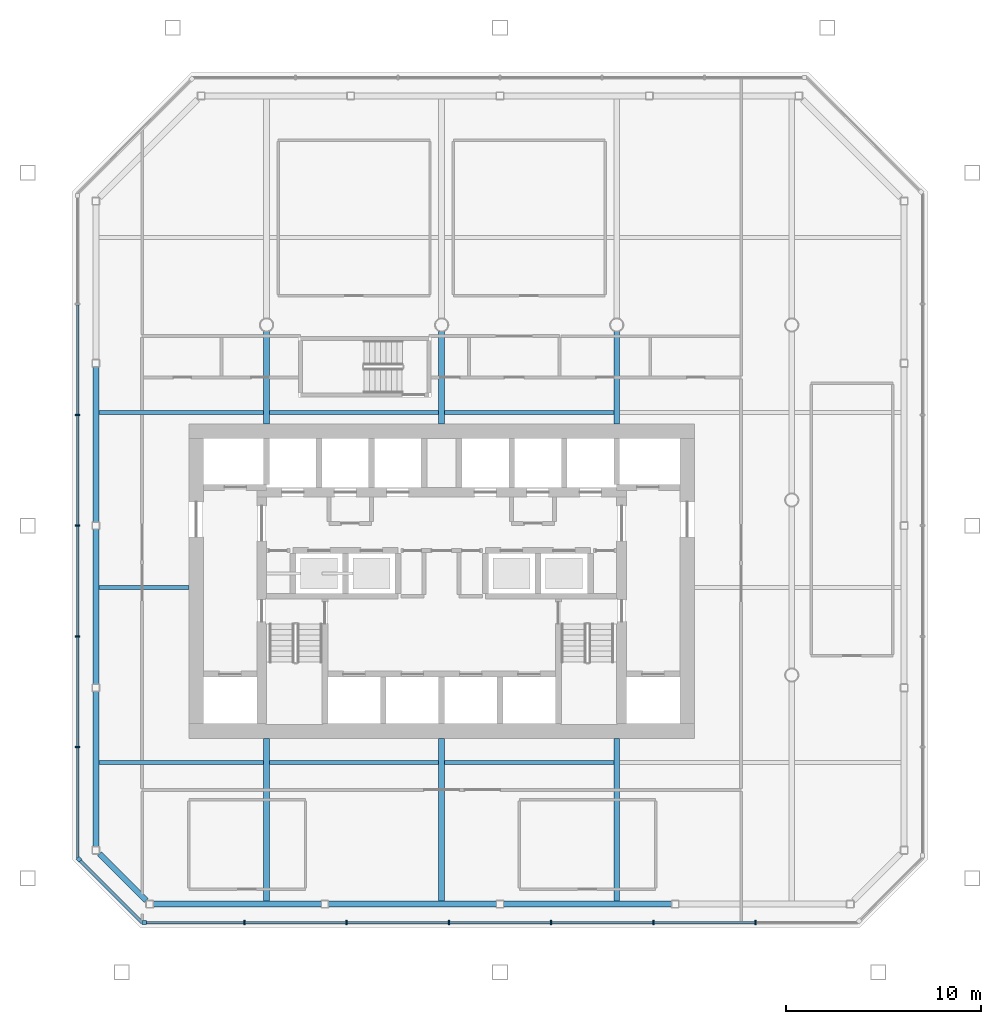
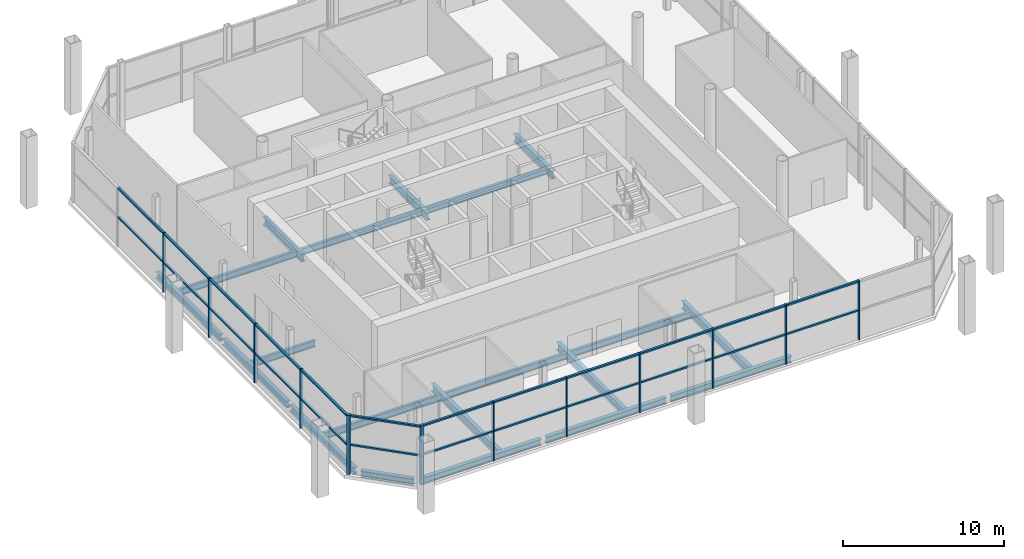
# One storey, part 3 of 12: 36 members, 20 beams, 3 elements without a shape of their own.
"""IFC4 building model written with IfcOpenShell, lengths in metres."""

from ifc_helpers import new_model, si_unit, direction, frame, origin, origin_2d, place, context, subcontext, project, spatial, rectangle, i_section, extrude, material, material_profile, profile_set, type_object, element, aggregate, save


model = new_model("IFC4")

# Units and contexts
model_context = context("Model", 3, precision=1e-05, world=origin(), true_north=direction((0.0, 1.0)))
body_context = subcontext(model_context, "Body", "Model", "MODEL_VIEW")
ifc_project = project(units=[si_unit("LENGTHUNIT", "METRE"), si_unit("AREAUNIT", "SQUARE_METRE"), si_unit("VOLUMEUNIT", "CUBIC_METRE"), si_unit("PLANEANGLEUNIT", "RADIAN"), si_unit("MASSUNIT", "GRAM", prefix="KILO")], contexts=[model_context])

# Site, building, storey
site_placement = place(None, origin())
site = spatial("IfcSite", under=ifc_project, at=site_placement, CompositionType="ELEMENT")
building_placement = place(site_placement, origin())
building = spatial("IfcBuilding", under=site, at=building_placement, Name="Tskaro Facet Tower", CompositionType="ELEMENT")
storey_placement = place(building_placement, frame((0.0, 0.0, 162.300048828125)))
storey = spatial("IfcBuildingStorey", under=building, at=storey_placement, Name="L40", CompositionType="ELEMENT", Elevation=162.300048828125)

# Curtain wall, member
ifc_material_1 = material(Name="Bronze anodised aluminium 6063-T6", Category="aluminium")
curtain_wall_type = type_object("IfcCurtainWallType", Name="Bronze sky lobby curtain wall (FW4)", PredefinedType="NOTDEFINED", material=ifc_material_1)
curtain_wall_1_placement = place(storey_placement, origin())
curtain_wall_1 = element("IfcCurtainWall", 1, at=curtain_wall_1_placement, inside=storey, type_object=curtain_wall_type, Name="FW4 south facet L40", PredefinedType="NOTDEFINED")
ifc_material_profile_1 = material_profile(ifc_material_1, rectangle(XDim=0.219970703125, YDim=0.219970703125, at=origin_2d()), Name="Corner post 220x220")
ifc_profile_set_1 = profile_set([ifc_material_profile_1], Name="Bronze anodised aluminium 6063-T6")
member_type_1 = type_object("IfcMemberType", Name="FW4 bronze corner post 220x220", PredefinedType="MULLION", material=ifc_profile_set_1)
member_1_placement = place(storey_placement, frame((-15.281982421875, -21.72412109375, 0.0), z_axis=(0.0, 0.0, 1.0), x_axis=(1.0, 0.0, 0.0)))
member_1 = element("IfcMember", 2, at=member_1_placement, type_object=member_type_1, Name="FW4 south corner post", PredefinedType="MULLION", context=body_context, shape_type="SweptSolid", body=[
    extrude(rectangle(XDim=0.219970703125, YDim=0.219970703125, at=origin_2d()), origin(), (0.0, 0.0, 1.0), 4.489990234375),
])

curtain_wall_2_placement = place(storey_placement, origin())
curtain_wall_2 = element("IfcCurtainWall", 3, at=curtain_wall_2_placement, inside=storey, type_object=curtain_wall_type, Name="FW4 south-west facet L40", PredefinedType="NOTDEFINED")
member_2_placement = place(storey_placement, frame((-18.646240234375, -18.4697265625, 0.0), z_axis=(0.0, 0.0, 1.0), x_axis=(0.707106781187, -0.707106781187, 0.0)))
member_2 = element("IfcMember", 4, at=member_2_placement, type_object=member_type_1, Name="FW4 south-west corner post", PredefinedType="MULLION", context=body_context, shape_type="SweptSolid", body=[
    extrude(rectangle(XDim=0.219970703125, YDim=0.219970703125, at=origin_2d()), origin(), (0.0, 0.0, 1.0), 4.489990234375),
])

# Member
ifc_material_profile_2 = material_profile(ifc_material_1, rectangle(XDim=0.080078125, YDim=0.219970703125, at=origin_2d()), Name="Mullion 80x220")
ifc_profile_set_2 = profile_set([ifc_material_profile_2], Name="Bronze anodised aluminium 6063-T6")
member_type_2 = type_object("IfcMemberType", Name="FW4 bronze mullion 80x220", PredefinedType="MULLION", material=ifc_profile_set_2)
member_3_placement = place(storey_placement, frame((-10.13720703125, -21.72412109375, 0.0), z_axis=(0.0, 0.0, 1.0), x_axis=(1.0, 0.0, 0.0)))
member_3 = element("IfcMember", 5, at=member_3_placement, type_object=member_type_2, Name="FW4 south mullion 1", PredefinedType="MULLION", context=body_context, shape_type="SweptSolid", body=[
    extrude(rectangle(XDim=0.080078125, YDim=0.219970703125, at=origin_2d()), origin(), (0.0, 0.0, 1.0), 4.489990234375),
])

member_4_placement = place(storey_placement, frame((-4.88232421875, -21.72412109375, 0.0), z_axis=(0.0, 0.0, 1.0), x_axis=(1.0, 0.0, 0.0)))
member_4 = element("IfcMember", 6, at=member_4_placement, type_object=member_type_2, Name="FW4 south mullion 2", PredefinedType="MULLION", context=body_context, shape_type="SweptSolid", body=[
    extrude(rectangle(XDim=0.080078125, YDim=0.219970703125, at=origin_2d()), origin(), (0.0, 0.0, 1.0), 4.489990234375),
])

member_5_placement = place(storey_placement, frame((0.37255859375, -21.72412109375, 0.0), z_axis=(0.0, 0.0, 1.0), x_axis=(1.0, 0.0, 0.0)))
member_5 = element("IfcMember", 7, at=member_5_placement, type_object=member_type_2, Name="FW4 south mullion 3", PredefinedType="MULLION", context=body_context, shape_type="SweptSolid", body=[
    extrude(rectangle(XDim=0.080078125, YDim=0.219970703125, at=origin_2d()), origin(), (0.0, 0.0, 1.0), 4.489990234375),
])

member_6_placement = place(storey_placement, frame((5.62744140625, -21.72412109375, 0.0), z_axis=(0.0, 0.0, 1.0), x_axis=(1.0, 0.0, 0.0)))
member_6 = element("IfcMember", 8, at=member_6_placement, type_object=member_type_2, Name="FW4 south mullion 4", PredefinedType="MULLION", context=body_context, shape_type="SweptSolid", body=[
    extrude(rectangle(XDim=0.080078125, YDim=0.219970703125, at=origin_2d()), origin(), (0.0, 0.0, 1.0), 4.489990234375),
])

member_7_placement = place(storey_placement, frame((10.88232421875, -21.72412109375, 0.0), z_axis=(0.0, 0.0, 1.0), x_axis=(1.0, 0.0, 0.0)))
member_7 = element("IfcMember", 9, at=member_7_placement, type_object=member_type_2, Name="FW4 south mullion 5", PredefinedType="MULLION", context=body_context, shape_type="SweptSolid", body=[
    extrude(rectangle(XDim=0.080078125, YDim=0.219970703125, at=origin_2d()), origin(), (0.0, 0.0, 1.0), 4.489990234375),
])

member_8_placement = place(storey_placement, frame((16.13720703125, -21.72412109375, 0.0), z_axis=(0.0, 0.0, 1.0), x_axis=(1.0, 0.0, 0.0)))
member_8 = element("IfcMember", 10, at=member_8_placement, type_object=member_type_2, Name="FW4 south mullion 6", PredefinedType="MULLION", context=body_context, shape_type="SweptSolid", body=[
    extrude(rectangle(XDim=0.080078125, YDim=0.219970703125, at=origin_2d()), origin(), (0.0, 0.0, 1.0), 4.489990234375),
])

# Curtain wall, members
curtain_wall_3_placement = place(storey_placement, origin())
curtain_wall_3 = element("IfcCurtainWall", 11, at=curtain_wall_3_placement, inside=storey, type_object=curtain_wall_type, Name="FW4 west facet L40", PredefinedType="NOTDEFINED")
member_9_placement = place(storey_placement, frame((-18.72412109375, 4.376708984375, 0.0), z_axis=(0.0, 0.0, 1.0), x_axis=(0.0, -1.0, 0.0)))
member_9 = element("IfcMember", 12, at=member_9_placement, type_object=member_type_2, Name="FW4 west mullion 2", PredefinedType="MULLION", context=body_context, shape_type="SweptSolid", body=[
    extrude(rectangle(XDim=0.080078125, YDim=0.219970703125, at=origin_2d()), origin(), (0.0, 0.0, 1.0), 4.489990234375),
])
member_10_placement = place(storey_placement, frame((-18.72412109375, -1.3154296875, 0.0), z_axis=(0.0, 0.0, 1.0), x_axis=(0.0, -1.0, 0.0)))
member_10 = element("IfcMember", 13, at=member_10_placement, type_object=member_type_2, Name="FW4 west mullion 3", PredefinedType="MULLION", context=body_context, shape_type="SweptSolid", body=[
    extrude(rectangle(XDim=0.080078125, YDim=0.219970703125, at=origin_2d()), origin(), (0.0, 0.0, 1.0), 4.489990234375),
])
member_11_placement = place(storey_placement, frame((-18.72412109375, -7.007568359375, 0.0), z_axis=(0.0, 0.0, 1.0), x_axis=(0.0, -1.0, 0.0)))
member_11 = element("IfcMember", 14, at=member_11_placement, type_object=member_type_2, Name="FW4 west mullion 4", PredefinedType="MULLION", context=body_context, shape_type="SweptSolid", body=[
    extrude(rectangle(XDim=0.080078125, YDim=0.219970703125, at=origin_2d()), origin(), (0.0, 0.0, 1.0), 4.489990234375),
])
member_12_placement = place(storey_placement, frame((-18.72412109375, -12.699951171875, 0.0), z_axis=(0.0, 0.0, 1.0), x_axis=(0.0, -1.0, 0.0)))
member_12 = element("IfcMember", 15, at=member_12_placement, type_object=member_type_2, Name="FW4 west mullion 5", PredefinedType="MULLION", context=body_context, shape_type="SweptSolid", body=[
    extrude(rectangle(XDim=0.080078125, YDim=0.219970703125, at=origin_2d()), origin(), (0.0, 0.0, 1.0), 4.489990234375),
])

# Member
ifc_material_profile_3 = material_profile(ifc_material_1, rectangle(XDim=0.159912109375, YDim=0.1201171875, at=origin_2d()), Name="Transom 160x120")
ifc_profile_set_3 = profile_set([ifc_material_profile_3], Name="Bronze anodised aluminium 6063-T6")
member_type_3 = type_object("IfcMemberType", Name="FW4 bronze transom 160x120", PredefinedType="USERDEFINED", material=ifc_profile_set_3)
member_13_placement = place(storey_placement, frame((-15.172119140625, -21.72412109375, 2.244873046875), z_axis=(1.0, 0.0, 0.0), x_axis=(0.0, 1.0, 0.0)))
member_13 = element("IfcMember", 16, at=member_13_placement, type_object=member_type_3, Name="FW4 south transom 1.1", ObjectType="TRANSOM", PredefinedType="USERDEFINED", context=body_context, shape_type="SweptSolid", body=[
    extrude(rectangle(XDim=0.159912109375, YDim=0.1201171875, at=origin_2d()), origin(), (0.0, 0.0, 1.0), 4.994873046875),
])

member_14_placement = place(storey_placement, frame((-15.172119140625, -21.72412109375, 4.429931640625), z_axis=(1.0, 0.0, 0.0), x_axis=(0.0, 1.0, 0.0)))
member_14 = element("IfcMember", 17, at=member_14_placement, type_object=member_type_3, Name="FW4 south transom 1.2", ObjectType="TRANSOM", PredefinedType="USERDEFINED", context=body_context, shape_type="SweptSolid", body=[
    extrude(rectangle(XDim=0.159912109375, YDim=0.1201171875, at=origin_2d()), origin(), (0.0, 0.0, 1.0), 4.994873046875),
])

member_15_placement = place(storey_placement, frame((-10.09716796875, -21.72412109375, 2.244873046875), z_axis=(1.0, 0.0, 0.0), x_axis=(0.0, 1.0, 0.0)))
member_15 = element("IfcMember", 18, at=member_15_placement, type_object=member_type_3, Name="FW4 south transom 2.1", ObjectType="TRANSOM", PredefinedType="USERDEFINED", context=body_context, shape_type="SweptSolid", body=[
    extrude(rectangle(XDim=0.159912109375, YDim=0.1201171875, at=origin_2d()), origin(), (0.0, 0.0, 1.0), 5.1748046875),
])

member_16_placement = place(storey_placement, frame((-10.09716796875, -21.72412109375, 4.429931640625), z_axis=(1.0, 0.0, 0.0), x_axis=(0.0, 1.0, 0.0)))
member_16 = element("IfcMember", 19, at=member_16_placement, type_object=member_type_3, Name="FW4 south transom 2.2", ObjectType="TRANSOM", PredefinedType="USERDEFINED", context=body_context, shape_type="SweptSolid", body=[
    extrude(rectangle(XDim=0.159912109375, YDim=0.1201171875, at=origin_2d()), origin(), (0.0, 0.0, 1.0), 5.1748046875),
])

member_17_placement = place(storey_placement, frame((-4.84228515625, -21.72412109375, 2.244873046875), z_axis=(1.0, 0.0, 0.0), x_axis=(0.0, 1.0, 0.0)))
member_17 = element("IfcMember", 20, at=member_17_placement, type_object=member_type_3, Name="FW4 south transom 3.1", ObjectType="TRANSOM", PredefinedType="USERDEFINED", context=body_context, shape_type="SweptSolid", body=[
    extrude(rectangle(XDim=0.159912109375, YDim=0.1201171875, at=origin_2d()), origin(), (0.0, 0.0, 1.0), 5.1748046875),
])

member_18_placement = place(storey_placement, frame((-4.84228515625, -21.72412109375, 4.429931640625), z_axis=(1.0, 0.0, 0.0), x_axis=(0.0, 1.0, 0.0)))
member_18 = element("IfcMember", 21, at=member_18_placement, type_object=member_type_3, Name="FW4 south transom 3.2", ObjectType="TRANSOM", PredefinedType="USERDEFINED", context=body_context, shape_type="SweptSolid", body=[
    extrude(rectangle(XDim=0.159912109375, YDim=0.1201171875, at=origin_2d()), origin(), (0.0, 0.0, 1.0), 5.1748046875),
])

member_19_placement = place(storey_placement, frame((0.41259765625, -21.72412109375, 2.244873046875), z_axis=(1.0, 0.0, 0.0), x_axis=(0.0, 1.0, 0.0)))
member_19 = element("IfcMember", 22, at=member_19_placement, type_object=member_type_3, Name="FW4 south transom 4.1", ObjectType="TRANSOM", PredefinedType="USERDEFINED", context=body_context, shape_type="SweptSolid", body=[
    extrude(rectangle(XDim=0.159912109375, YDim=0.1201171875, at=origin_2d()), origin(), (0.0, 0.0, 1.0), 5.1748046875),
])

member_20_placement = place(storey_placement, frame((0.41259765625, -21.72412109375, 4.429931640625), z_axis=(1.0, 0.0, 0.0), x_axis=(0.0, 1.0, 0.0)))
member_20 = element("IfcMember", 23, at=member_20_placement, type_object=member_type_3, Name="FW4 south transom 4.2", ObjectType="TRANSOM", PredefinedType="USERDEFINED", context=body_context, shape_type="SweptSolid", body=[
    extrude(rectangle(XDim=0.159912109375, YDim=0.1201171875, at=origin_2d()), origin(), (0.0, 0.0, 1.0), 5.1748046875),
])

member_21_placement = place(storey_placement, frame((5.66748046875, -21.72412109375, 2.244873046875), z_axis=(1.0, 0.0, 0.0), x_axis=(0.0, 1.0, 0.0)))
member_21 = element("IfcMember", 24, at=member_21_placement, type_object=member_type_3, Name="FW4 south transom 5.1", ObjectType="TRANSOM", PredefinedType="USERDEFINED", context=body_context, shape_type="SweptSolid", body=[
    extrude(rectangle(XDim=0.159912109375, YDim=0.1201171875, at=origin_2d()), origin(), (0.0, 0.0, 1.0), 5.1748046875),
])

member_22_placement = place(storey_placement, frame((5.66748046875, -21.72412109375, 4.429931640625), z_axis=(1.0, 0.0, 0.0), x_axis=(0.0, 1.0, 0.0)))
member_22 = element("IfcMember", 25, at=member_22_placement, type_object=member_type_3, Name="FW4 south transom 5.2", ObjectType="TRANSOM", PredefinedType="USERDEFINED", context=body_context, shape_type="SweptSolid", body=[
    extrude(rectangle(XDim=0.159912109375, YDim=0.1201171875, at=origin_2d()), origin(), (0.0, 0.0, 1.0), 5.1748046875),
])

member_23_placement = place(storey_placement, frame((10.92236328125, -21.72412109375, 2.244873046875), z_axis=(1.0, 0.0, 0.0), x_axis=(0.0, 1.0, 0.0)))
member_23 = element("IfcMember", 26, at=member_23_placement, type_object=member_type_3, Name="FW4 south transom 6.1", ObjectType="TRANSOM", PredefinedType="USERDEFINED", context=body_context, shape_type="SweptSolid", body=[
    extrude(rectangle(XDim=0.159912109375, YDim=0.1201171875, at=origin_2d()), origin(), (0.0, 0.0, 1.0), 5.1748046875),
])

member_24_placement = place(storey_placement, frame((10.92236328125, -21.72412109375, 4.429931640625), z_axis=(1.0, 0.0, 0.0), x_axis=(0.0, 1.0, 0.0)))
member_24 = element("IfcMember", 27, at=member_24_placement, type_object=member_type_3, Name="FW4 south transom 6.2", ObjectType="TRANSOM", PredefinedType="USERDEFINED", context=body_context, shape_type="SweptSolid", body=[
    extrude(rectangle(XDim=0.159912109375, YDim=0.1201171875, at=origin_2d()), origin(), (0.0, 0.0, 1.0), 5.1748046875),
])

aggregate(curtain_wall_1, [member_1, member_3, member_4, member_5, member_6, member_7, member_8, member_13, member_14, member_15, member_16, member_17, member_18, member_19, member_20, member_21, member_22, member_23, member_24])

member_25_placement = place(storey_placement, frame((-18.72412109375, 10.02880859375, 2.244873046875), z_axis=(0.0, -1.0, 0.0), x_axis=(1.0, 0.0, 0.0)))
member_25 = element("IfcMember", 28, at=member_25_placement, type_object=member_type_3, Name="FW4 west transom 2.1", ObjectType="TRANSOM", PredefinedType="USERDEFINED", context=body_context, shape_type="SweptSolid", body=[
    extrude(rectangle(XDim=0.159912109375, YDim=0.1201171875, at=origin_2d()), origin(), (0.0, 0.0, 1.0), 5.612060546875),
])

member_26_placement = place(storey_placement, frame((-18.72412109375, 10.02880859375, 4.429931640625), z_axis=(0.0, -1.0, 0.0), x_axis=(1.0, 0.0, 0.0)))
member_26 = element("IfcMember", 29, at=member_26_placement, type_object=member_type_3, Name="FW4 west transom 2.2", ObjectType="TRANSOM", PredefinedType="USERDEFINED", context=body_context, shape_type="SweptSolid", body=[
    extrude(rectangle(XDim=0.159912109375, YDim=0.1201171875, at=origin_2d()), origin(), (0.0, 0.0, 1.0), 5.612060546875),
])

member_27_placement = place(storey_placement, frame((-18.72412109375, 4.336669921875, 2.244873046875), z_axis=(0.0, -1.0, 0.0), x_axis=(1.0, 0.0, 0.0)))
member_27 = element("IfcMember", 30, at=member_27_placement, type_object=member_type_3, Name="FW4 west transom 3.1", ObjectType="TRANSOM", PredefinedType="USERDEFINED", context=body_context, shape_type="SweptSolid", body=[
    extrude(rectangle(XDim=0.159912109375, YDim=0.1201171875, at=origin_2d()), origin(), (0.0, 0.0, 1.0), 5.612060546875),
])

member_28_placement = place(storey_placement, frame((-18.72412109375, 4.336669921875, 4.429931640625), z_axis=(0.0, -1.0, 0.0), x_axis=(1.0, 0.0, 0.0)))
member_28 = element("IfcMember", 31, at=member_28_placement, type_object=member_type_3, Name="FW4 west transom 3.2", ObjectType="TRANSOM", PredefinedType="USERDEFINED", context=body_context, shape_type="SweptSolid", body=[
    extrude(rectangle(XDim=0.159912109375, YDim=0.1201171875, at=origin_2d()), origin(), (0.0, 0.0, 1.0), 5.612060546875),
])

member_29_placement = place(storey_placement, frame((-18.72412109375, -1.35546875, 2.244873046875), z_axis=(0.0, -1.0, 0.0), x_axis=(1.0, 0.0, 0.0)))
member_29 = element("IfcMember", 32, at=member_29_placement, type_object=member_type_3, Name="FW4 west transom 4.1", ObjectType="TRANSOM", PredefinedType="USERDEFINED", context=body_context, shape_type="SweptSolid", body=[
    extrude(rectangle(XDim=0.159912109375, YDim=0.1201171875, at=origin_2d()), origin(), (0.0, 0.0, 1.0), 5.6123046875),
])

member_30_placement = place(storey_placement, frame((-18.72412109375, -1.35546875, 4.429931640625), z_axis=(0.0, -1.0, 0.0), x_axis=(1.0, 0.0, 0.0)))
member_30 = element("IfcMember", 33, at=member_30_placement, type_object=member_type_3, Name="FW4 west transom 4.2", ObjectType="TRANSOM", PredefinedType="USERDEFINED", context=body_context, shape_type="SweptSolid", body=[
    extrude(rectangle(XDim=0.159912109375, YDim=0.1201171875, at=origin_2d()), origin(), (0.0, 0.0, 1.0), 5.6123046875),
])

member_31_placement = place(storey_placement, frame((-18.72412109375, -7.047607421875, 2.244873046875), z_axis=(0.0, -1.0, 0.0), x_axis=(1.0, 0.0, 0.0)))
member_31 = element("IfcMember", 34, at=member_31_placement, type_object=member_type_3, Name="FW4 west transom 5.1", ObjectType="TRANSOM", PredefinedType="USERDEFINED", context=body_context, shape_type="SweptSolid", body=[
    extrude(rectangle(XDim=0.159912109375, YDim=0.1201171875, at=origin_2d()), origin(), (0.0, 0.0, 1.0), 5.6123046875),
])

member_32_placement = place(storey_placement, frame((-18.72412109375, -7.047607421875, 4.429931640625), z_axis=(0.0, -1.0, 0.0), x_axis=(1.0, 0.0, 0.0)))
member_32 = element("IfcMember", 35, at=member_32_placement, type_object=member_type_3, Name="FW4 west transom 5.2", ObjectType="TRANSOM", PredefinedType="USERDEFINED", context=body_context, shape_type="SweptSolid", body=[
    extrude(rectangle(XDim=0.159912109375, YDim=0.1201171875, at=origin_2d()), origin(), (0.0, 0.0, 1.0), 5.6123046875),
])

member_33_placement = place(storey_placement, frame((-18.72412109375, -12.73974609375, 2.244873046875), z_axis=(0.0, -1.0, 0.0), x_axis=(1.0, 0.0, 0.0)))
member_33 = element("IfcMember", 36, at=member_33_placement, type_object=member_type_3, Name="FW4 west transom 6.1", ObjectType="TRANSOM", PredefinedType="USERDEFINED", context=body_context, shape_type="SweptSolid", body=[
    extrude(rectangle(XDim=0.159912109375, YDim=0.1201171875, at=origin_2d()), origin(), (0.0, 0.0, 1.0), 5.65234375),
])

member_34_placement = place(storey_placement, frame((-18.72412109375, -12.73974609375, 4.429931640625), z_axis=(0.0, -1.0, 0.0), x_axis=(1.0, 0.0, 0.0)))
member_34 = element("IfcMember", 37, at=member_34_placement, type_object=member_type_3, Name="FW4 west transom 6.2", ObjectType="TRANSOM", PredefinedType="USERDEFINED", context=body_context, shape_type="SweptSolid", body=[
    extrude(rectangle(XDim=0.159912109375, YDim=0.1201171875, at=origin_2d()), origin(), (0.0, 0.0, 1.0), 5.65234375),
])

aggregate(curtain_wall_3, [member_9, member_10, member_11, member_12, member_25, member_26, member_27, member_28, member_29, member_30, member_31, member_32, member_33, member_34])

member_35_placement = place(storey_placement, frame((-18.568359375, -18.547607421875, 2.244873046875), z_axis=(0.707079606198, -0.70713395513, 0.0), x_axis=(0.70713395513, 0.707079606198, 0.0)))
member_35 = element("IfcMember", 38, at=member_35_placement, type_object=member_type_3, Name="FW4 south-west transom 1.1", ObjectType="TRANSOM", PredefinedType="USERDEFINED", context=body_context, shape_type="SweptSolid", body=[
    extrude(rectangle(XDim=0.159912109375, YDim=0.1201171875, at=origin_2d()), origin(), (0.0, 0.0, 1.0), 4.4921875),
])

member_36_placement = place(storey_placement, frame((-18.568359375, -18.547607421875, 4.429931640625), z_axis=(0.707079606198, -0.70713395513, 0.0), x_axis=(0.70713395513, 0.707079606198, 0.0)))
member_36 = element("IfcMember", 39, at=member_36_placement, type_object=member_type_3, Name="FW4 south-west transom 1.2", ObjectType="TRANSOM", PredefinedType="USERDEFINED", context=body_context, shape_type="SweptSolid", body=[
    extrude(rectangle(XDim=0.159912109375, YDim=0.1201171875, at=origin_2d()), origin(), (0.0, 0.0, 1.0), 4.4921875),
])

aggregate(curtain_wall_2, [member_2, member_35, member_36])

# Beams
ifc_material_2 = material(Name="Steel S355J2", Category="steel")
ifc_material_profile_4 = material_profile(ifc_material_2, i_section(OverallWidth=0.300048828125, OverallDepth=0.5, WebThickness=0.014404296875, FlangeThickness=0.028076171875, FilletRadius=0.027099609375, at=origin_2d()), Name="HE 500 B")
ifc_profile_set_4 = profile_set([ifc_material_profile_4], Name="Steel S355J2")
beam_type_1 = type_object("IfcBeamType", Name="HE 500 B ring beam", PredefinedType="BEAM", material=ifc_profile_set_4)
beam_1_placement = place(storey_placement, frame((-14.819091796875, -20.77392578125, -0.5), z_axis=(1.0, 0.0, 0.0), x_axis=(0.0, 1.0, 0.0)))
element("IfcBeam", 40, at=beam_1_placement, inside=storey, type_object=beam_type_1, Name="HE 500 B EB1-3", PredefinedType="BEAM", context=body_context, shape_type="SweptSolid", body=[
    extrude(i_section(OverallWidth=0.300048828125, OverallDepth=0.5, WebThickness=0.014404296875, FlangeThickness=0.028076171875, FilletRadius=0.027099609375, at=origin_2d()), origin(), (0.0, 0.0, 1.0), 8.63916015625),
])
for number, where, z_axis, x_axis, name in (
    (41, (-5.820068359375, -20.77392578125, -0.5), (1.0, 0.0, 0.0), (0.0, 1.0, 0.0), "HE 500 B EB2-3"),
    (42, (3.179931640625, -20.77392578125, -0.5), (1.0, 0.0, 0.0), (0.0, 1.0, 0.0), "HE 500 B EB3-3"),
):
    element("IfcBeam", number, at=place(storey_placement, frame(where, z_axis=z_axis, x_axis=x_axis)), inside=storey, type_object=beam_type_1, Name=name, PredefinedType="BEAM", context=body_context, shape_type="SweptSolid", body=[
        extrude(i_section(OverallWidth=0.300048828125, OverallDepth=0.5, WebThickness=0.014404296875, FlangeThickness=0.028076171875, FilletRadius=0.027099609375, at=origin_2d()), origin(), (0.0, 0.0, 1.0), 8.64013671875),
    ])
beam_2_placement = place(storey_placement, frame((-17.77392578125, 6.845947265625, -0.5), z_axis=(0.0, -1.0, 0.0), x_axis=(1.0, 0.0, 0.0)))
element("IfcBeam", 43, at=beam_2_placement, inside=storey, type_object=beam_type_1, Name="HE 500 B EB17-3", PredefinedType="BEAM", context=body_context, shape_type="SweptSolid", body=[
    extrude(i_section(OverallWidth=0.300048828125, OverallDepth=0.5, WebThickness=0.014404296875, FlangeThickness=0.028076171875, FilletRadius=0.027099609375, at=origin_2d()), origin(), (0.0, 0.0, 1.0), 7.98095703125),
])
beam_3_placement = place(storey_placement, frame((-17.77392578125, -1.4951171875, -0.5), z_axis=(0.0, -1.0, 0.0), x_axis=(1.0, 0.0, 0.0)))
element("IfcBeam", 44, at=beam_3_placement, inside=storey, type_object=beam_type_1, Name="HE 500 B EB18-3", PredefinedType="BEAM", context=body_context, shape_type="SweptSolid", body=[
    extrude(i_section(OverallWidth=0.300048828125, OverallDepth=0.5, WebThickness=0.014404296875, FlangeThickness=0.028076171875, FilletRadius=0.027099609375, at=origin_2d()), origin(), (0.0, 0.0, 1.0), 7.98193359375),
])
beam_4_placement = place(storey_placement, frame((-17.77392578125, -9.8369140625, -0.5), z_axis=(0.0, -1.0, 0.0), x_axis=(1.0, 0.0, 0.0)))
element("IfcBeam", 45, at=beam_4_placement, inside=storey, type_object=beam_type_1, Name="HE 500 B EB19-3", PredefinedType="BEAM", context=body_context, shape_type="SweptSolid", body=[
    extrude(i_section(OverallWidth=0.300048828125, OverallDepth=0.5, WebThickness=0.014404296875, FlangeThickness=0.028076171875, FilletRadius=0.027099609375, at=origin_2d()), origin(), (0.0, 0.0, 1.0), 7.982177734375),
])
beam_5_placement = place(storey_placement, frame((-17.588134765625, -18.184814453125, -0.5), z_axis=(0.707106781187, -0.707106781187, 0.0), x_axis=(0.707106781187, 0.707106781187, 0.0)))
element("IfcBeam", 46, at=beam_5_placement, inside=storey, type_object=beam_type_1, Name="HE 500 B EB20-3", PredefinedType="BEAM", context=body_context, shape_type="SweptSolid", body=[
    extrude(i_section(OverallWidth=0.300048828125, OverallDepth=0.5, WebThickness=0.014404296875, FlangeThickness=0.028076171875, FilletRadius=0.027099609375, at=origin_2d()), origin(), (0.0, 0.0, 1.0), 3.39892578125),
])
ifc_material_profile_5 = material_profile(ifc_material_2, i_section(OverallWidth=0.300048828125, OverallDepth=0.590087890625, WebThickness=0.012939453125, FlangeThickness=0.02490234375, FilletRadius=0.027099609375, at=origin_2d()), Name="HE 600 A")
ifc_profile_set_5 = profile_set([ifc_material_profile_5], Name="Steel S355J2")
beam_type_2 = type_object("IfcBeamType", Name="HE 600 A girder", PredefinedType="BEAM", material=ifc_profile_set_5)
beam_6_placement = place(storey_placement, frame((-9.0, -20.6240234375, -0.545166015625), z_axis=(0.0, 1.0, 0.0), x_axis=(-1.0, 0.0, 0.0)))
element("IfcBeam", 47, at=beam_6_placement, inside=storey, type_object=beam_type_2, Name="HE 600 A GB3-1-3", PredefinedType="BEAM", context=body_context, shape_type="SweptSolid", body=[
    extrude(i_section(OverallWidth=0.300048828125, OverallDepth=0.590087890625, WebThickness=0.012939453125, FlangeThickness=0.02490234375, FilletRadius=0.027099609375, at=origin_2d()), origin(), (0.0, 0.0, 1.0), 8.3740234375),
])
beam_7_placement = place(storey_placement, frame((-9.0, 3.89990234375, -0.545166015625), z_axis=(0.0, 1.0, 0.0), x_axis=(-1.0, 0.0, 0.0)))
element("IfcBeam", 48, at=beam_7_placement, inside=storey, type_object=beam_type_2, Name="HE 600 A GB3-2-3", PredefinedType="BEAM", context=body_context, shape_type="SweptSolid", body=[
    extrude(i_section(OverallWidth=0.300048828125, OverallDepth=0.590087890625, WebThickness=0.012939453125, FlangeThickness=0.02490234375, FilletRadius=0.027099609375, at=origin_2d()), origin(), (0.0, 0.0, 1.0), 4.774658203125),
])
beam_8_placement = place(storey_placement, frame((0.0, -20.6240234375, -0.545166015625), z_axis=(0.0, 1.0, 0.0), x_axis=(-1.0, 0.0, 0.0)))
element("IfcBeam", 49, at=beam_8_placement, inside=storey, type_object=beam_type_2, Name="HE 600 A GB4-1-3", PredefinedType="BEAM", context=body_context, shape_type="SweptSolid", body=[
    extrude(i_section(OverallWidth=0.300048828125, OverallDepth=0.590087890625, WebThickness=0.012939453125, FlangeThickness=0.02490234375, FilletRadius=0.027099609375, at=origin_2d()), origin(), (0.0, 0.0, 1.0), 8.3740234375),
])
beam_9_placement = place(storey_placement, frame((0.0, 3.89990234375, -0.545166015625), z_axis=(0.0, 1.0, 0.0), x_axis=(-1.0, 0.0, 0.0)))
element("IfcBeam", 50, at=beam_9_placement, inside=storey, type_object=beam_type_2, Name="HE 600 A GB4-2-3", PredefinedType="BEAM", context=body_context, shape_type="SweptSolid", body=[
    extrude(i_section(OverallWidth=0.300048828125, OverallDepth=0.590087890625, WebThickness=0.012939453125, FlangeThickness=0.02490234375, FilletRadius=0.027099609375, at=origin_2d()), origin(), (0.0, 0.0, 1.0), 4.774658203125),
])
beam_10_placement = place(storey_placement, frame((9.0, -20.6240234375, -0.545166015625), z_axis=(0.0, 1.0, 0.0), x_axis=(-1.0, 0.0, 0.0)))
element("IfcBeam", 51, at=beam_10_placement, inside=storey, type_object=beam_type_2, Name="HE 600 A GB5-1-3", PredefinedType="BEAM", context=body_context, shape_type="SweptSolid", body=[
    extrude(i_section(OverallWidth=0.300048828125, OverallDepth=0.590087890625, WebThickness=0.012939453125, FlangeThickness=0.02490234375, FilletRadius=0.027099609375, at=origin_2d()), origin(), (0.0, 0.0, 1.0), 8.3740234375),
])
beam_11_placement = place(storey_placement, frame((9.0, 3.89990234375, -0.545166015625), z_axis=(0.0, 1.0, 0.0), x_axis=(-1.0, 0.0, 0.0)))
element("IfcBeam", 52, at=beam_11_placement, inside=storey, type_object=beam_type_2, Name="HE 600 A GB5-2-3", PredefinedType="BEAM", context=body_context, shape_type="SweptSolid", body=[
    extrude(i_section(OverallWidth=0.300048828125, OverallDepth=0.590087890625, WebThickness=0.012939453125, FlangeThickness=0.02490234375, FilletRadius=0.027099609375, at=origin_2d()), origin(), (0.0, 0.0, 1.0), 4.774658203125),
])
ifc_material_profile_6 = material_profile(ifc_material_2, i_section(OverallWidth=0.199951171875, OverallDepth=0.5, WebThickness=0.01025390625, FlangeThickness=0.01611328125, FilletRadius=0.02099609375, at=origin_2d()), Name="IPE 500")
ifc_profile_set_6 = profile_set([ifc_material_profile_6], Name="Steel S355J2")
beam_type_3 = type_object("IfcBeamType", Name="IPE 500 secondary beam", PredefinedType="BEAM", material=ifc_profile_set_6)
beam_12_placement = place(storey_placement, frame((-17.6240234375, -13.5, -0.5), z_axis=(1.0, 0.0, 0.0), x_axis=(0.0, 1.0, 0.0)))
element("IfcBeam", 53, at=beam_12_placement, inside=storey, type_object=beam_type_3, Name="IPE 500 SB2a-1-3", PredefinedType="BEAM", context=body_context, shape_type="SweptSolid", body=[
    extrude(i_section(OverallWidth=0.199951171875, OverallDepth=0.5, WebThickness=0.01025390625, FlangeThickness=0.01611328125, FilletRadius=0.02099609375, at=origin_2d()), origin(), (0.0, 0.0, 1.0), 8.47412109375),
])
for number, where, z_axis, x_axis, name in (
    (54, (-8.85009765625, -13.5, -0.5), (1.0, 0.0, 0.0), (0.0, 1.0, 0.0), "IPE 500 SB2a-2-3"),
    (55, (0.14990234375, -13.5, -0.5), (1.0, 0.0, 0.0), (0.0, 1.0, 0.0), "IPE 500 SB2a-3-3"),
):
    element("IfcBeam", number, at=place(storey_placement, frame(where, z_axis=z_axis, x_axis=x_axis)), inside=storey, type_object=beam_type_3, Name=name, PredefinedType="BEAM", context=body_context, shape_type="SweptSolid", body=[
        extrude(i_section(OverallWidth=0.199951171875, OverallDepth=0.5, WebThickness=0.01025390625, FlangeThickness=0.01611328125, FilletRadius=0.02099609375, at=origin_2d()), origin(), (0.0, 0.0, 1.0), 8.7001953125),
    ])
beam_13_placement = place(storey_placement, frame((-17.6240234375, -4.5, -0.5), z_axis=(1.0, 0.0, 0.0), x_axis=(0.0, 1.0, 0.0)))
element("IfcBeam", 56, at=beam_13_placement, inside=storey, type_object=beam_type_3, Name="IPE 500 SB3a-1-3", PredefinedType="BEAM", context=body_context, shape_type="SweptSolid", body=[
    extrude(i_section(OverallWidth=0.199951171875, OverallDepth=0.5, WebThickness=0.01025390625, FlangeThickness=0.01611328125, FilletRadius=0.02099609375, at=origin_2d()), origin(), (0.0, 0.0, 1.0), 4.6240234375),
])
beam_14_placement = place(storey_placement, frame((-17.6240234375, 4.5, -0.5), z_axis=(1.0, 0.0, 0.0), x_axis=(0.0, 1.0, 0.0)))
element("IfcBeam", 57, at=beam_14_placement, inside=storey, type_object=beam_type_3, Name="IPE 500 SB4a-1-3", PredefinedType="BEAM", context=body_context, shape_type="SweptSolid", body=[
    extrude(i_section(OverallWidth=0.199951171875, OverallDepth=0.5, WebThickness=0.01025390625, FlangeThickness=0.01611328125, FilletRadius=0.02099609375, at=origin_2d()), origin(), (0.0, 0.0, 1.0), 8.47412109375),
])
for number, where, z_axis, x_axis, name in (
    (58, (-8.85009765625, 4.5, -0.5), (1.0, 0.0, 0.0), (0.0, 1.0, 0.0), "IPE 500 SB4a-2-3"),
    (59, (0.14990234375, 4.5, -0.5), (1.0, 0.0, 0.0), (0.0, 1.0, 0.0), "IPE 500 SB4a-3-3"),
):
    element("IfcBeam", number, at=place(storey_placement, frame(where, z_axis=z_axis, x_axis=x_axis)), inside=storey, type_object=beam_type_3, Name=name, PredefinedType="BEAM", context=body_context, shape_type="SweptSolid", body=[
        extrude(i_section(OverallWidth=0.199951171875, OverallDepth=0.5, WebThickness=0.01025390625, FlangeThickness=0.01611328125, FilletRadius=0.02099609375, at=origin_2d()), origin(), (0.0, 0.0, 1.0), 8.7001953125),
    ])

save(model, "model.ifc")
